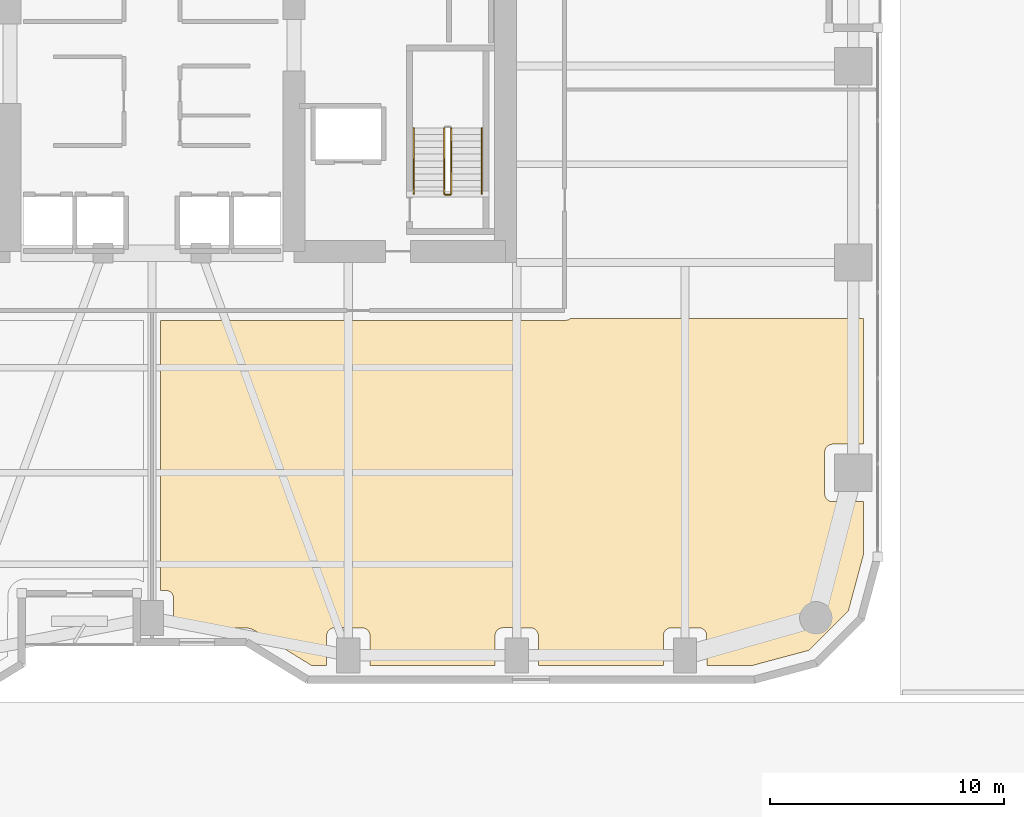
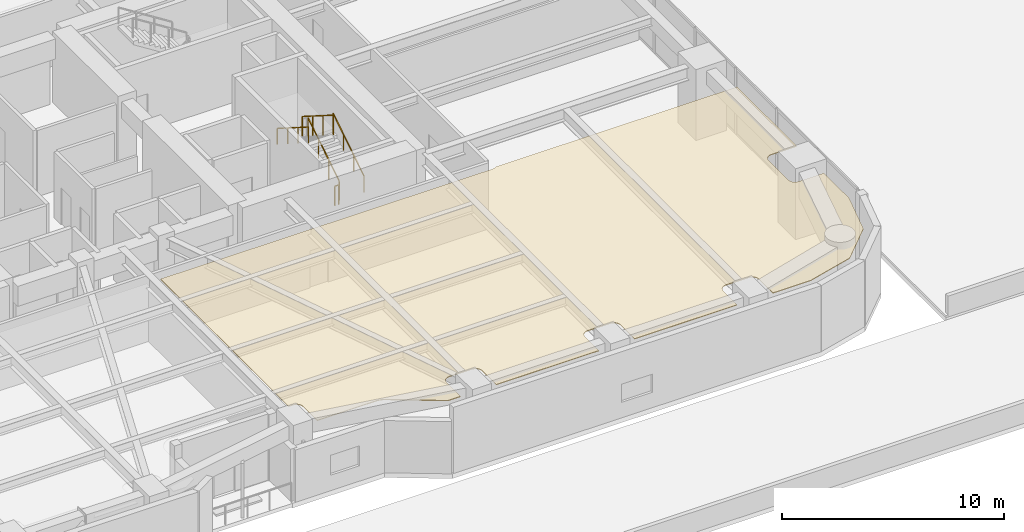
# One storey, part 35 of 38: 5 railings, 1 covering.
"""IFC4 building model written with IfcOpenShell, lengths in metres."""

from ifc_helpers import new_model, si_unit, direction, frame, origin, origin_2d, place, context, subcontext, project, spatial, polyline, rectangle, outline, extrude, material, layer, layer_set, type_object, element, save


model = new_model("IFC4")

# Units and contexts
model_context = context("Model", 3, precision=1e-05, world=origin(), true_north=direction((0.0, 1.0)))
body_context = subcontext(model_context, "Body", "Model", "MODEL_VIEW")
ifc_project = project(units=[si_unit("LENGTHUNIT", "METRE"), si_unit("AREAUNIT", "SQUARE_METRE"), si_unit("VOLUMEUNIT", "CUBIC_METRE"), si_unit("PLANEANGLEUNIT", "RADIAN"), si_unit("MASSUNIT", "GRAM", prefix="KILO")], contexts=[model_context])

# Site, building, storey
site_placement = place(None, origin())
site = spatial("IfcSite", under=ifc_project, at=site_placement, CompositionType="ELEMENT")
building_placement = place(site_placement, origin())
building = spatial("IfcBuilding", under=site, at=building_placement, Name="Kiyonajd Concourse Tower", CompositionType="ELEMENT")
storey_placement = place(building_placement, frame((0.0, 0.0, 21.60009765625)))
storey = spatial("IfcBuildingStorey", under=building, at=storey_placement, Name="L06", CompositionType="ELEMENT", Elevation=21.60009765625)

# Covering
ifc_material_1 = material(Name="Natural Oak Acoustic Timber Veneer", Category="wood")
ifc_layer = layer(ifc_material_1, 0.0400390625)
ifc_layer_set = layer_set([ifc_layer], Name="Natural Oak Acoustic Timber Veneer")
covering_type = type_object("IfcCoveringType", Name="CV-CLG-ACST", PredefinedType="CEILING", material=ifc_layer_set)
covering_placement = place(storey_placement, frame((0.0, 0.0, 3.4599609375)))
element("IfcCovering", 1, at=covering_placement, inside=storey, type_object=covering_type, Name="L06-39 Room Acoustic Ceiling", PredefinedType="CEILING", context=body_context, shape_type="SweptSolid", body=[
    extrude(outline(polyline([(65.89794921875, 25.199951171875), (78.429931640625, 25.199951171875), (78.429931640625, 19.830078125), (77.1201171875, 19.830078125), (77.052001953125, 19.822998046875), (76.986083984375, 19.802978515625), (76.926025390625, 19.77099609375), (76.84912109375, 19.701904296875), (76.81103515625, 19.64501953125), (76.784912109375, 19.58203125), (76.77001953125, 19.47998046875), (76.77001953125, 17.719970703125), (76.784912109375, 17.617919921875), (76.81103515625, 17.554931640625), (76.84912109375, 17.498046875), (76.89794921875, 17.448974609375), (76.955078125, 17.410888671875), (77.01806640625, 17.385009765625), (77.0859375, 17.3720703125), (78.429931640625, 17.3701171875), (78.429931640625, 15.10107421875), (77.785888671875, 12.697998046875), (76.10205078125, 11.013916015625), (73.698974609375, 10.3701171875), (71.72998046875, 10.3701171875), (71.72802734375, 11.6640625), (71.715087890625, 11.73193359375), (71.68896484375, 11.794921875), (71.626953125, 11.876953125), (71.544921875, 11.93896484375), (71.48193359375, 11.965087890625), (71.4140625, 11.97802734375), (70.18603515625, 11.97802734375), (70.117919921875, 11.965087890625), (70.054931640625, 11.93896484375), (69.972900390625, 11.876953125), (69.910888671875, 11.794921875), (69.876953125, 11.697998046875), (69.8701171875, 11.6298828125), (69.8701171875, 10.3701171875), (64.530029296875, 10.3701171875), (64.528076171875, 11.6640625), (64.514892578125, 11.73193359375), (64.489013671875, 11.794921875), (64.427001953125, 11.876953125), (64.344970703125, 11.93896484375), (64.281982421875, 11.965087890625), (64.214111328125, 11.97802734375), (63.02001953125, 11.97998046875), (62.91796875, 11.965087890625), (62.85498046875, 11.93896484375), (62.798095703125, 11.90087890625), (62.7490234375, 11.85205078125), (62.7109375, 11.794921875), (62.677001953125, 11.697998046875), (62.669921875, 11.6298828125), (62.669921875, 10.3701171875), (57.330078125, 10.3701171875), (57.327880859375, 11.6640625), (57.302978515625, 11.763916015625), (57.27099609375, 11.823974609375), (57.22705078125, 11.876953125), (57.174072265625, 11.9208984375), (57.114013671875, 11.952880859375), (57.013916015625, 11.97802734375), (55.820068359375, 11.97998046875), (55.718017578125, 11.965087890625), (55.655029296875, 11.93896484375), (55.597900390625, 11.90087890625), (55.549072265625, 11.85205078125), (55.510986328125, 11.794921875), (55.47705078125, 11.697998046875), (55.469970703125, 11.6298828125), (55.469970703125, 10.3701171875), (54.818115234375, 10.3701171875), (52.403076171875, 11.85595703125), (52.305908203125, 11.906005859375), (52.221923828125, 11.93701171875), (52.10302734375, 11.9619140625), (52.0, 11.969970703125), (48.929931640625, 11.969970703125), (48.929931640625, 13.22998046875), (48.9150390625, 13.33203125), (48.888916015625, 13.39501953125), (48.85107421875, 13.451904296875), (48.802001953125, 13.5009765625), (48.714111328125, 13.552978515625), (48.614013671875, 13.577880859375), (48.3701171875, 13.580078125), (48.3701171875, 25.1201171875), (65.64990234375, 25.1201171875), (65.780029296875, 25.139892578125), (65.843017578125, 25.166015625), (65.89794921875, 25.199951171875)])), origin(), (0.0, 0.0, 1.0), 0.0400390625),
])

# Railings
ifc_material_2 = material(Name="Steel ASTM A500 Grade C", Category="steel")
railing_type_1 = type_object("IfcRailingType", Name="RL-GRD-STR", PredefinedType="GUARDRAIL", material=ifc_material_2)
railing_1_placement = place(storey_placement, frame((60.800048828125, 30.550048828125, 0.17724609375)))
element("IfcRailing", 2, at=railing_1_placement, inside=storey, type_object=railing_type_1, Name="L06 ST2 stair guard 1", PredefinedType="GUARDRAIL", context=body_context, shape_type="SweptSolid", body=[
    extrude(rectangle(XDim=0.048095703125, YDim=0.048095703125, at=origin_2d()), frame((0.0, 0.0, 1.076171875), z_axis=(0.0, 0.844908973607, 0.534910110503), x_axis=(-1.0, 0.0, 0.0)), (0.0, 0.0, 1.0), 3.31396484375),
    extrude(rectangle(XDim=0.0419921875, YDim=0.0419921875, at=origin_2d()), origin(), (0.0, 0.0, 1.0), 1.052001953125),
    extrude(rectangle(XDim=0.0419921875, YDim=0.0419921875, at=origin_2d()), frame((0.0, 0.933349609375, 0.5908203125)), (0.0, 0.0, 1.0), 1.052001953125),
    extrude(rectangle(XDim=0.0419921875, YDim=0.0419921875, at=origin_2d()), frame((0.0, 1.86669921875, 1.181884765625)), (0.0, 0.0, 1.0), 1.052001953125),
    extrude(rectangle(XDim=0.0419921875, YDim=0.0419921875, at=origin_2d()), frame((0.0, 2.800048828125, 1.772705078125)), (0.0, 0.0, 1.0), 1.052001953125),
])
railing_2_placement = place(storey_placement, frame((60.5, 33.35009765625, 2.127197265625)))
element("IfcRailing", 3, at=railing_2_placement, inside=storey, type_object=railing_type_1, Name="L06 ST2 stair guard 3", PredefinedType="GUARDRAIL", context=body_context, shape_type="SweptSolid", body=[
    extrude(rectangle(XDim=0.048095703125, YDim=0.048095703125, at=origin_2d()), frame((0.0, 0.0, 1.076171875), z_axis=(0.0, -0.844908973607, 0.534910110503), x_axis=(1.0, 0.0, 0.0)), (0.0, 0.0, 1.0), 3.31396484375),
    extrude(rectangle(XDim=0.0419921875, YDim=0.0419921875, at=origin_2d()), origin(), (0.0, 0.0, 1.0), 1.052001953125),
    extrude(rectangle(XDim=0.0419921875, YDim=0.0419921875, at=origin_2d()), frame((0.0, -0.933349609375, 0.5908203125)), (0.0, 0.0, 1.0), 1.052001953125),
    extrude(rectangle(XDim=0.0419921875, YDim=0.0419921875, at=origin_2d()), frame((0.0, -1.86669921875, 1.181884765625)), (0.0, 0.0, 1.0), 1.052001953125),
    extrude(rectangle(XDim=0.0419921875, YDim=0.0419921875, at=origin_2d()), frame((0.0, -2.800048828125, 1.772705078125)), (0.0, 0.0, 1.0), 1.052001953125),
])
railing_3_placement = place(storey_placement, frame((60.75, 30.5, 0.0)))
element("IfcRailing", 4, at=railing_3_placement, inside=storey, type_object=railing_type_1, Name="L06 ST2 stair guard 4", PredefinedType="GUARDRAIL", context=body_context, shape_type="SweptSolid", body=[
    extrude(rectangle(XDim=0.048095703125, YDim=0.048095703125, at=origin_2d()), frame((0.0, 0.0, 1.076171875), z_axis=(-1.0, 0.0, 0.0), x_axis=(0.0, -1.0, 0.0)), (0.0, 0.0, 1.0), 0.199951171875),
    extrude(rectangle(XDim=0.0419921875, YDim=0.0419921875, at=origin_2d()), origin(), (0.0, 0.0, 1.0), 1.052001953125),
    extrude(rectangle(XDim=0.0419921875, YDim=0.0419921875, at=origin_2d()), frame((-0.199951171875, 0.0, 0.0)), (0.0, 0.0, 1.0), 1.052001953125),
])
ifc_material_3 = material(Name="Brushed Stainless Steel Cab Assembly", Category="steel")
railing_type_2 = type_object("IfcRailingType", Name="RL-HND-900", PredefinedType="HANDRAIL", material=ifc_material_3)
railing_4_placement = place(storey_placement, frame((62.10009765625, 30.550048828125, 0.17724609375)))
element("IfcRailing", 5, at=railing_4_placement, inside=storey, type_object=railing_type_2, Name="L06 ST2 stair handrail 1", PredefinedType="HANDRAIL", context=body_context, shape_type="SweptSolid", body=[
    extrude(rectangle(XDim=0.048095703125, YDim=0.048095703125, at=origin_2d()), frame((0.0, 0.0, 0.8759765625), z_axis=(0.0, 0.844908973607, 0.534910110503), x_axis=(-1.0, 0.0, 0.0)), (0.0, 0.0, 1.0), 3.31396484375),
    extrude(rectangle(XDim=0.0419921875, YDim=0.0419921875, at=origin_2d()), origin(), (0.0, 0.0, 1.0), 0.851806640625),
    extrude(rectangle(XDim=0.0419921875, YDim=0.0419921875, at=origin_2d()), frame((0.0, 0.933349609375, 0.5908203125)), (0.0, 0.0, 1.0), 0.851806640625),
    extrude(rectangle(XDim=0.0419921875, YDim=0.0419921875, at=origin_2d()), frame((0.0, 1.86669921875, 1.181884765625)), (0.0, 0.0, 1.0), 0.851806640625),
    extrude(rectangle(XDim=0.0419921875, YDim=0.0419921875, at=origin_2d()), frame((0.0, 2.800048828125, 1.772705078125)), (0.0, 0.0, 1.0), 0.851806640625),
])
railing_5_placement = place(storey_placement, frame((59.199951171875, 33.35009765625, 2.127197265625)))
element("IfcRailing", 6, at=railing_5_placement, inside=storey, type_object=railing_type_2, Name="L06 ST2 stair handrail 2", PredefinedType="HANDRAIL", context=body_context, shape_type="SweptSolid", body=[
    extrude(rectangle(XDim=0.048095703125, YDim=0.048095703125, at=origin_2d()), frame((0.0, 0.0, 0.8759765625), z_axis=(0.0, -0.844908973607, 0.534910110503), x_axis=(1.0, 0.0, 0.0)), (0.0, 0.0, 1.0), 3.31396484375),
    extrude(rectangle(XDim=0.0419921875, YDim=0.0419921875, at=origin_2d()), origin(), (0.0, 0.0, 1.0), 0.851806640625),
    extrude(rectangle(XDim=0.0419921875, YDim=0.0419921875, at=origin_2d()), frame((0.0, -0.933349609375, 0.5908203125)), (0.0, 0.0, 1.0), 0.851806640625),
    extrude(rectangle(XDim=0.0419921875, YDim=0.0419921875, at=origin_2d()), frame((0.0, -1.86669921875, 1.181884765625)), (0.0, 0.0, 1.0), 0.851806640625),
    extrude(rectangle(XDim=0.0419921875, YDim=0.0419921875, at=origin_2d()), frame((0.0, -2.800048828125, 1.772705078125)), (0.0, 0.0, 1.0), 0.851806640625),
])

save(model, "model.ifc")
